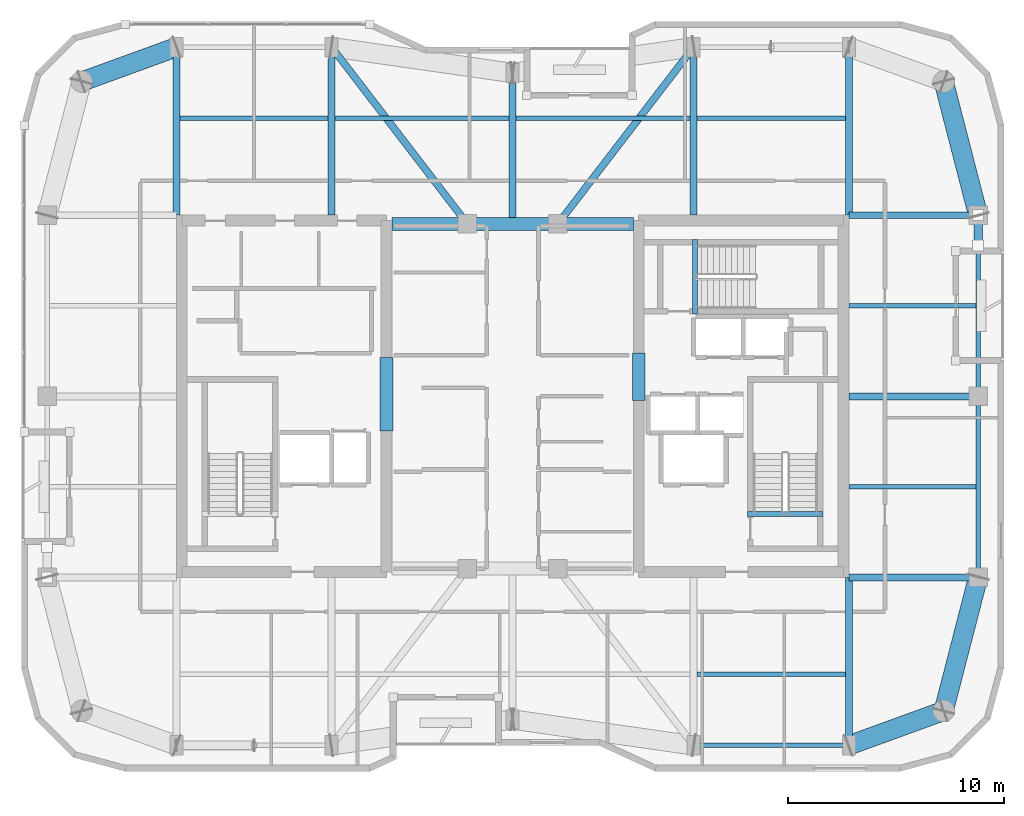
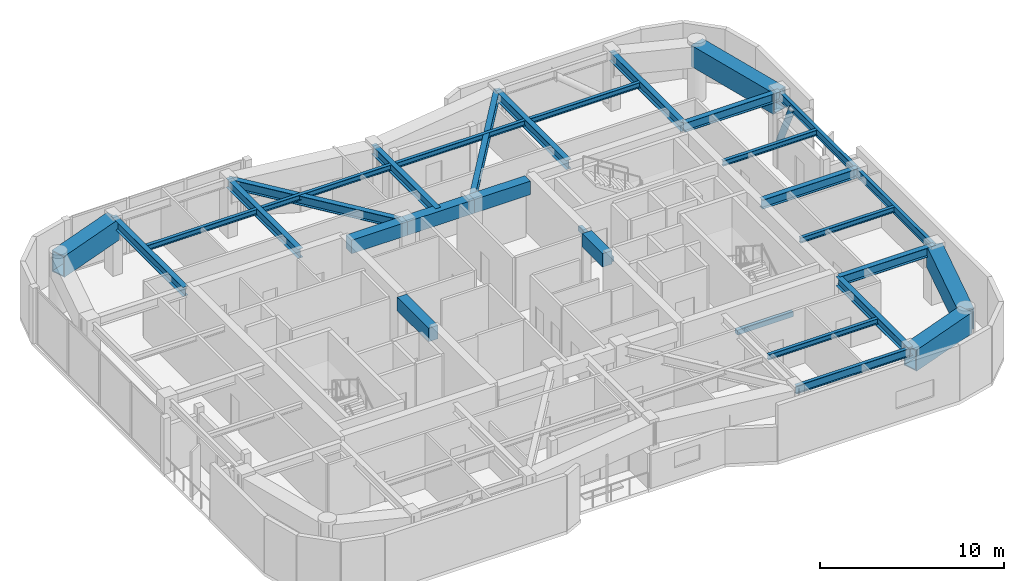
# One storey, part 5 of 15: 32 beams, 1 member.
"""IFC4 building model written with IfcOpenShell, lengths in metres."""

from ifc_helpers import new_model, si_unit, direction, frame, origin, origin_2d, place, context, subcontext, project, spatial, rectangle, hollow_rectangle, hollow_circle, i_section, extrude, material, material_profile, profile_set, type_object, element, save


model = new_model("IFC4")

# Units and contexts
model_context = context("Model", 3, precision=1e-05, world=origin(), true_north=direction((0.0, 1.0)))
body_context = subcontext(model_context, "Body", "Model", "MODEL_VIEW")
ifc_project = project(units=[si_unit("LENGTHUNIT", "METRE"), si_unit("AREAUNIT", "SQUARE_METRE"), si_unit("VOLUMEUNIT", "CUBIC_METRE"), si_unit("PLANEANGLEUNIT", "RADIAN"), si_unit("MASSUNIT", "GRAM", prefix="KILO")], contexts=[model_context])

# Site, building, storey
site_placement = place(None, origin())
site = spatial("IfcSite", under=ifc_project, at=site_placement, CompositionType="ELEMENT")
building_placement = place(site_placement, origin())
building = spatial("IfcBuilding", under=site, at=building_placement, Name="Kiyonajd Concourse Tower", CompositionType="ELEMENT")
storey_placement = place(building_placement, frame((0.0, 0.0, 314.10009765625)))
storey = spatial("IfcBuildingStorey", under=building, at=storey_placement, Name="L79", CompositionType="ELEMENT", Elevation=314.10009765625)

# Beams
ifc_material_1 = material(Name="Concrete C60/75", Category="concrete")
ifc_material_profile_1 = material_profile(ifc_material_1, rectangle(XDim=0.60009765625, YDim=0.89990234375, at=origin_2d()), Name="RCBM-600x900")
ifc_profile_set_1 = profile_set([ifc_material_profile_1], Name="Concrete C60/75")
beam_type_1 = type_object("IfcBeamType", Name="BM-COUP-900", PredefinedType="LINTEL", material=ifc_profile_set_1)
beam_1_placement = place(storey_placement, frame((42.39990234375, 44.0, 3.22998046875), z_axis=(1.0, 0.0, 0.0), x_axis=(0.0, 1.0, 0.0)))
element("IfcBeam", 1, at=beam_1_placement, inside=storey, type_object=beam_type_1, Name="L79 Core Coupling Beam N1", PredefinedType="LINTEL", context=body_context, shape_type="SweptSolid", body=[
    extrude(rectangle(XDim=0.60009765625, YDim=0.89990234375, at=origin_2d()), origin(), (0.0, 0.0, 1.0), 3.5),
])
beam_2_placement = place(storey_placement, frame((45.89990234375, 44.0, 3.22998046875), z_axis=(1.0, 0.0, 0.0), x_axis=(0.0, 1.0, 0.0)))
element("IfcBeam", 2, at=beam_2_placement, inside=storey, type_object=beam_type_1, Name="L79 Core Coupling Beam N2", PredefinedType="LINTEL", context=body_context, shape_type="SweptSolid", body=[
    extrude(rectangle(XDim=0.60009765625, YDim=0.89990234375, at=origin_2d()), origin(), (0.0, 0.0, 1.0), 4.2001953125),
])
beam_3_placement = place(storey_placement, frame((50.10009765625, 44.0, 3.22998046875), z_axis=(1.0, 0.0, 0.0), x_axis=(0.0, 1.0, 0.0)))
element("IfcBeam", 3, at=beam_3_placement, inside=storey, type_object=beam_type_1, Name="L79 Core Coupling Beam N3", PredefinedType="LINTEL", context=body_context, shape_type="SweptSolid", body=[
    extrude(rectangle(XDim=0.60009765625, YDim=0.89990234375, at=origin_2d()), origin(), (0.0, 0.0, 1.0), 3.5),
])
beam_4_placement = place(storey_placement, frame((42.14990234375, 34.39990234375, 3.22998046875), z_axis=(0.0, 1.0, 0.0), x_axis=(-1.0, 0.0, 0.0)))
element("IfcBeam", 4, at=beam_4_placement, inside=storey, type_object=beam_type_1, Name="L79 West Core Throat Coupling Lintel", PredefinedType="LINTEL", context=body_context, shape_type="SweptSolid", body=[
    extrude(rectangle(XDim=0.60009765625, YDim=0.89990234375, at=origin_2d()), origin(), (0.0, 0.0, 1.0), 3.400146484375),
])
beam_5_placement = place(storey_placement, frame((53.85009765625, 35.800048828125, 3.22998046875), z_axis=(0.0, 1.0, 0.0), x_axis=(-1.0, 0.0, 0.0)))
element("IfcBeam", 5, at=beam_5_placement, inside=storey, type_object=beam_type_1, Name="L79 East Core Throat Coupling Lintel", PredefinedType="LINTEL", context=body_context, shape_type="SweptSolid", body=[
    extrude(rectangle(XDim=0.60009765625, YDim=0.89990234375, at=origin_2d()), origin(), (0.0, 0.0, 1.0), 2.199951171875),
])
ifc_material_2 = material(Name="Steel ASTM A992 Grade 50", Category="steel")
ifc_material_profile_2 = material_profile(ifc_material_2, i_section(OverallWidth=0.205078125, OverallDepth=0.35400390625, WebThickness=0.009521484375, FlangeThickness=0.016845703125, at=origin_2d()), Name="W360X79")
ifc_profile_set_2 = profile_set([ifc_material_profile_2], Name="Steel ASTM A992 Grade 50")
beam_type_2 = type_object("IfcBeamType", Name="BM-JST-360", PredefinedType="JOIST", material=ifc_profile_set_2)
for number, where, z_axis, x_axis, name in (
    (6, (56.56201171875, 23.10009765625, 3.5029296875), (1.0, 0.0, 0.0), (0.0, 1.0, 0.0), "L79 Secondary Floor Joist"),
    (7, (32.56201171875, 48.89990234375, 3.5029296875), (1.0, 0.0, 0.0), (0.0, 1.0, 0.0), "L79 Secondary Floor Joist"),
):
    element("IfcBeam", number, at=place(storey_placement, frame(where, z_axis=z_axis, x_axis=x_axis)), inside=storey, type_object=beam_type_2, Name=name, PredefinedType="JOIST", context=body_context, shape_type="SweptSolid", body=[
        extrude(i_section(OverallWidth=0.205078125, OverallDepth=0.35400390625, WebThickness=0.009521484375, FlangeThickness=0.016845703125, at=origin_2d()), origin(), (0.0, 0.0, 1.0), 6.8759765625),
    ])
for number, where, z_axis, x_axis, name in (
    (8, (39.761962890625, 48.89990234375, 3.5029296875), (1.0, 0.0, 0.0), (0.0, 1.0, 0.0), "L79 Secondary Floor Joist"),
    (9, (48.162109375, 48.89990234375, 3.5029296875), (1.0, 0.0, 0.0), (0.0, 1.0, 0.0), "L79 Secondary Floor Joist"),
):
    element("IfcBeam", number, at=place(storey_placement, frame(where, z_axis=z_axis, x_axis=x_axis)), inside=storey, type_object=beam_type_2, Name=name, PredefinedType="JOIST", context=body_context, shape_type="SweptSolid", body=[
        extrude(i_section(OverallWidth=0.205078125, OverallDepth=0.35400390625, WebThickness=0.009521484375, FlangeThickness=0.016845703125, at=origin_2d()), origin(), (0.0, 0.0, 1.0), 8.075927734375),
    ])
beam_6_placement = place(storey_placement, frame((56.56201171875, 48.89990234375, 3.5029296875), z_axis=(1.0, 0.0, 0.0), x_axis=(0.0, 1.0, 0.0)))
element("IfcBeam", 10, at=beam_6_placement, inside=storey, type_object=beam_type_2, Name="L79 Secondary Floor Joist", PredefinedType="JOIST", context=body_context, shape_type="SweptSolid", body=[
    extrude(i_section(OverallWidth=0.205078125, OverallDepth=0.35400390625, WebThickness=0.009521484375, FlangeThickness=0.016845703125, at=origin_2d()), origin(), (0.0, 0.0, 1.0), 6.8759765625),
])
for number, where, z_axis, x_axis, name in (
    (11, (63.60009765625, 31.800048828125, 3.5029296875), (1.0, 0.0, 0.0), (0.0, 1.0, 0.0), "L79 East Secondary Floor Joist"),
    (12, (63.60009765625, 40.199951171875, 3.5029296875), (1.0, 0.0, 0.0), (0.0, 1.0, 0.0), "L79 East Secondary Floor Joist"),
):
    element("IfcBeam", number, at=place(storey_placement, frame(where, z_axis=z_axis, x_axis=x_axis)), inside=storey, type_object=beam_type_2, Name=name, PredefinedType="JOIST", context=body_context, shape_type="SweptSolid", body=[
        extrude(i_section(OverallWidth=0.205078125, OverallDepth=0.35400390625, WebThickness=0.009521484375, FlangeThickness=0.016845703125, at=origin_2d()), origin(), (0.0, 0.0, 1.0), 5.894287109375),
    ])
ifc_material_3 = material(Name="Concrete C50/60", Category="concrete")
ifc_material_profile_3 = material_profile(ifc_material_3, rectangle(XDim=0.239990234375, YDim=0.320068359375, at=origin_2d()), Name="RCBM-240x320")
ifc_profile_set_3 = profile_set([ifc_material_profile_3], Name="Concrete C50/60")
beam_type_3 = type_object("IfcBeamType", Name="BM-LNT-250", PredefinedType="LINTEL", material=ifc_profile_set_3)
beam_7_placement = place(storey_placement, frame((58.889892578125, 30.530029296875, -0.16015625), z_axis=(1.0, 0.0, 0.0), x_axis=(0.0, 1.0, 0.0)))
element("IfcBeam", 13, at=beam_7_placement, inside=storey, type_object=beam_type_3, Name="L79 Stair ST2 Threshold Support Beam", PredefinedType="LINTEL", context=body_context, shape_type="SweptSolid", body=[
    extrude(rectangle(XDim=0.239990234375, YDim=0.320068359375, at=origin_2d()), origin(), (0.0, 0.0, 1.0), 3.52001953125),
])
beam_8_placement = place(storey_placement, frame((56.4599609375, 39.820068359375, -0.16015625), z_axis=(0.0, 1.0, 0.0), x_axis=(-1.0, 0.0, 0.0)))
element("IfcBeam", 14, at=beam_8_placement, inside=storey, type_object=beam_type_3, Name="L79 Stair ST3 Threshold Support Beam", PredefinedType="LINTEL", context=body_context, shape_type="SweptSolid", body=[
    extrude(rectangle(XDim=0.239990234375, YDim=0.320068359375, at=origin_2d()), origin(), (0.0, 0.0, 1.0), 3.4599609375),
])
ifc_material_profile_4 = material_profile(ifc_material_2, i_section(OverallWidth=0.2109375, OverallDepth=0.5390625, WebThickness=0.01171875, FlangeThickness=0.018798828125, at=origin_2d()), Name="W530X109")
ifc_profile_set_4 = profile_set([ifc_material_profile_4], Name="Steel ASTM A992 Grade 50")
beam_type_4 = type_object("IfcBeamType", Name="BM-SPAN-530B", PredefinedType="SPANDREL", material=ifc_profile_set_4)
beam_9_placement = place(storey_placement, frame((56.39990234375, 19.800048828125, 3.410400390625), z_axis=(1.0, 0.0, 0.0), x_axis=(0.0, 1.0, 0.0)))
element("IfcBeam", 15, at=beam_9_placement, inside=storey, type_object=beam_type_4, Name="L79 Perimeter Bundled Tube Spandrel", PredefinedType="SPANDREL", context=body_context, shape_type="SweptSolid", body=[
    extrude(i_section(OverallWidth=0.2109375, OverallDepth=0.5390625, WebThickness=0.01171875, FlangeThickness=0.018798828125, at=origin_2d()), origin(), (0.0, 0.0, 1.0), 7.2001953125),
])
for number, where, z_axis, x_axis, name in (
    (16, (69.60009765625, 27.60009765625, 3.410400390625), (0.0, 1.0, 0.0), (-1.0, 0.0, 0.0), "L79 Perimeter Bundled Tube Spandrel"),
    (17, (69.60009765625, 36.0, 3.410400390625), (0.0, 1.0, 0.0), (-1.0, 0.0, 0.0), "L79 Perimeter Bundled Tube Spandrel"),
):
    element("IfcBeam", number, at=place(storey_placement, frame(where, z_axis=z_axis, x_axis=x_axis)), inside=storey, type_object=beam_type_4, Name=name, PredefinedType="SPANDREL", context=body_context, shape_type="SweptSolid", body=[
        extrude(i_section(OverallWidth=0.2109375, OverallDepth=0.5390625, WebThickness=0.01171875, FlangeThickness=0.018798828125, at=origin_2d()), origin(), (0.0, 0.0, 1.0), 8.39990234375),
    ])
ifc_material_profile_5 = material_profile(ifc_material_2, i_section(OverallWidth=0.326904296875, OverallDepth=0.6220703125, WebThickness=0.015380859375, FlangeThickness=0.0244140625, at=origin_2d()), Name="W610X195")
ifc_profile_set_5 = profile_set([ifc_material_profile_5], Name="Steel ASTM A992 Grade 50")
beam_type_5 = type_object("IfcBeamType", Name="BM-TWR-610A", PredefinedType="BEAM", material=ifc_profile_set_5)
for number, where, z_axis, x_axis, name in (
    (18, (39.60009765625, 52.199951171875, 3.368896484375), (0.609233709922, -0.792990722956, 0.0), (0.792990722956, 0.609233709922, 0.0), "L79 Core Tie Girder"),
    (19, (50.10009765625, 44.0, 3.368896484375), (0.609233709922, 0.792990722956, 0.0), (-0.792990722956, 0.609233709922, 0.0), "L79 Core Tie Girder"),
):
    element("IfcBeam", number, at=place(storey_placement, frame(where, z_axis=z_axis, x_axis=x_axis)), inside=storey, type_object=beam_type_5, Name=name, PredefinedType="BEAM", context=body_context, shape_type="SweptSolid", body=[
        extrude(i_section(OverallWidth=0.326904296875, OverallDepth=0.6220703125, WebThickness=0.015380859375, FlangeThickness=0.0244140625, at=origin_2d()), origin(), (0.0, 0.0, 1.0), 10.340576171875),
    ])
ifc_material_profile_6 = material_profile(ifc_material_2, i_section(OverallWidth=0.323974609375, OverallDepth=0.611083984375, WebThickness=0.0126953125, FlangeThickness=0.01904296875, at=origin_2d()), Name="W610X155")
ifc_profile_set_6 = profile_set([ifc_material_profile_6], Name="Steel ASTM A992 Grade 50")
beam_type_6 = type_object("IfcBeamType", Name="BM-TWR-610B", PredefinedType="BEAM", material=ifc_profile_set_6)
for number, where, z_axis, x_axis, name in (
    (20, (32.39990234375, 44.39990234375, 3.37451171875), (0.0, 1.0, 0.0), (-1.0, 0.0, 0.0), "L79 North Lease Girder"),
    (21, (39.60009765625, 44.39990234375, 3.37451171875), (0.0, 1.0, 0.0), (-1.0, 0.0, 0.0), "L79 North Lease Girder"),
    (22, (56.39990234375, 44.39990234375, 3.37451171875), (0.0, 1.0, 0.0), (-1.0, 0.0, 0.0), "L79 North Lease Girder"),
    (23, (63.60009765625, 19.800048828125, 3.37451171875), (0.0, 1.0, 0.0), (-1.0, 0.0, 0.0), "L79 South Lease Girder"),
    (24, (63.60009765625, 44.39990234375, 3.37451171875), (0.0, 1.0, 0.0), (-1.0, 0.0, 0.0), "L79 North Lease Girder"),
):
    element("IfcBeam", number, at=place(storey_placement, frame(where, z_axis=z_axis, x_axis=x_axis)), inside=storey, type_object=beam_type_6, Name=name, PredefinedType="BEAM", context=body_context, shape_type="SweptSolid", body=[
        extrude(i_section(OverallWidth=0.323974609375, OverallDepth=0.611083984375, WebThickness=0.0126953125, FlangeThickness=0.01904296875, at=origin_2d()), origin(), (0.0, 0.0, 1.0), 7.800048828125),
    ])
beam_10_placement = place(storey_placement, frame((48.0, 44.0, 3.37451171875), z_axis=(0.0, 1.0, 0.0), x_axis=(-1.0, 0.0, 0.0)))
element("IfcBeam", 25, at=beam_10_placement, inside=storey, type_object=beam_type_6, Name="L79 North Ribbon Girder", PredefinedType="BEAM", context=body_context, shape_type="SweptSolid", body=[
    extrude(i_section(OverallWidth=0.323974609375, OverallDepth=0.611083984375, WebThickness=0.0126953125, FlangeThickness=0.01904296875, at=origin_2d()), origin(), (0.0, 0.0, 1.0), 7.0),
])
for number, where, z_axis, x_axis, name in (
    (26, (63.60009765625, 27.60009765625, 3.37451171875), (1.0, 0.0, 0.0), (0.0, 1.0, 0.0), "L79 East Lease Girder"),
    (27, (63.60009765625, 36.0, 3.37451171875), (1.0, 0.0, 0.0), (0.0, 1.0, 0.0), "L79 East Lease Girder"),
    (28, (63.60009765625, 44.39990234375, 3.37451171875), (1.0, 0.0, 0.0), (0.0, 1.0, 0.0), "L79 East Lease Girder"),
):
    element("IfcBeam", number, at=place(storey_placement, frame(where, z_axis=z_axis, x_axis=x_axis)), inside=storey, type_object=beam_type_6, Name=name, PredefinedType="BEAM", context=body_context, shape_type="SweptSolid", body=[
        extrude(i_section(OverallWidth=0.323974609375, OverallDepth=0.611083984375, WebThickness=0.0126953125, FlangeThickness=0.01904296875, at=origin_2d()), origin(), (0.0, 0.0, 1.0), 6.0),
    ])
ifc_material_4 = material(Name="Steel ASTM A572 Grade 50", Category="steel")
ifc_material_profile_7 = material_profile(ifc_material_4, hollow_rectangle(XDim=0.89990234375, YDim=1.39990234375, WallThickness=0.070068359375, at=origin_2d()), Name="BOX-1400x900x70")
ifc_profile_set_7 = profile_set([ifc_material_profile_7], Name="Steel ASTM A572 Grade 50")
beam_type_7 = type_object("IfcBeamType", Name="BM-XFER-1400", PredefinedType="BEAM", material=ifc_profile_set_7)
beam_11_placement = place(storey_placement, frame((63.60009765625, 19.800048828125, 2.97998046875), z_axis=(0.939801036019, 0.341722127901, 0.0), x_axis=(-0.341722127901, 0.939801036019, 0.0)))
element("IfcBeam", 29, at=beam_11_placement, inside=storey, type_object=beam_type_7, Name="L79 Perimeter Bundled Tube Spandrel", PredefinedType="BEAM", context=body_context, shape_type="SweptSolid", body=[
    extrude(hollow_rectangle(XDim=0.89990234375, YDim=1.39990234375, WallThickness=0.070068359375, at=origin_2d()), origin(), (0.0, 0.0, 1.0), 4.681640625),
])
for number, where, z_axis, x_axis, name in (
    (30, (68.0, 21.39990234375, 2.97998046875), (0.249884937687, 0.968275538221, 0.0), (-0.968275538221, 0.249884937687, 0.0), "L79 Perimeter Bundled Tube Spandrel"),
    (31, (69.60009765625, 44.39990234375, 2.97998046875), (-0.249884937687, 0.968275538221, 0.0), (-0.968275538221, -0.249884937687, 0.0), "L79 Perimeter Bundled Tube Spandrel"),
):
    element("IfcBeam", number, at=place(storey_placement, frame(where, z_axis=z_axis, x_axis=x_axis)), inside=storey, type_object=beam_type_7, Name=name, PredefinedType="BEAM", context=body_context, shape_type="SweptSolid", body=[
        extrude(hollow_rectangle(XDim=0.89990234375, YDim=1.39990234375, WallThickness=0.070068359375, at=origin_2d()), origin(), (0.0, 0.0, 1.0), 6.4033203125),
    ])
beam_12_placement = place(storey_placement, frame((32.39990234375, 52.199951171875, 2.97998046875), z_axis=(-0.939801036019, -0.341722127901, 0.0), x_axis=(0.341722127901, -0.939801036019, 0.0)))
element("IfcBeam", 32, at=beam_12_placement, inside=storey, type_object=beam_type_7, Name="L79 Perimeter Bundled Tube Spandrel", PredefinedType="BEAM", context=body_context, shape_type="SweptSolid", body=[
    extrude(hollow_rectangle(XDim=0.89990234375, YDim=1.39990234375, WallThickness=0.070068359375, at=origin_2d()), origin(), (0.0, 0.0, 1.0), 4.681640625),
])

# Member
ifc_material_5 = material(Name="Steel ASTM A500 Grade C", Category="steel")
ifc_material_profile_8 = material_profile(ifc_material_5, hollow_circle(Radius=0.202880859375, WallThickness=0.01904296875, at=origin_2d()), Name="CHS-406x19")
ifc_profile_set_8 = profile_set([ifc_material_profile_8], Name="Steel ASTM A500 Grade C")
member_type = type_object("IfcMemberType", Name="MB-PB-HIGH", PredefinedType="BRACE", material=ifc_profile_set_8)
member_placement = place(storey_placement, frame((69.60009765625, 44.39990234375, 0.2998046875), z_axis=(0.0, -0.419410666774, 0.907796614114), x_axis=(1.0, 0.0, 0.0)))
element("IfcMember", 33, at=member_placement, inside=storey, type_object=member_type, Name="L79 Upper Zone Hollow Tube Brace PBE", PredefinedType="BRACE", context=body_context, shape_type="SweptSolid", body=[
    extrude(hollow_circle(Radius=0.202880859375, WallThickness=0.01904296875, at=origin_2d()), origin(), (0.0, 0.0, 1.0), 3.337890625),
])

save(model, "model.ifc")
